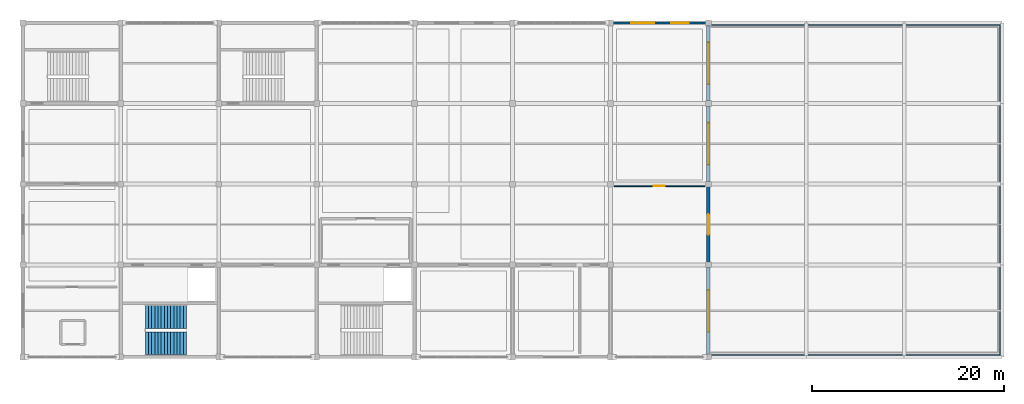
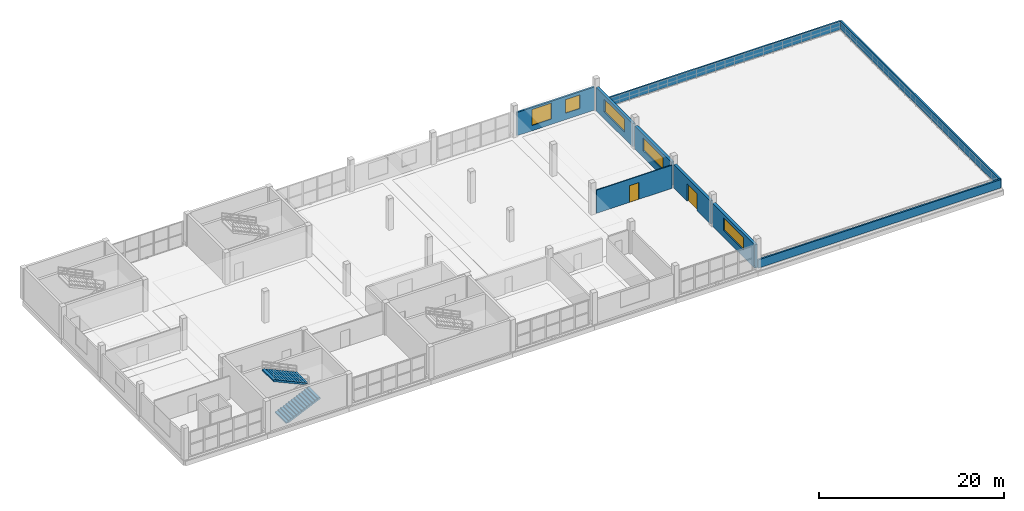
# One storey, part 21 of 24: 9 walls, 5 windows, 2 doors, 2 stair flights, 7 openings, 1 element without a shape of its own.
"""IFC4 building model written with IfcOpenShell, lengths in metres."""

import ifcopenshell
import ifcopenshell.guid

model = None  # the IFC model being written
_history = None  # IfcOwnerHistory: only IFC2X3 demands one
_inside = {}  # id of a spatial element -> (the spatial element, [elements in it])
_under = {}  # id of a project, library or spatial element -> (it, [spatial elements below it])
_declared = {}  # id of a project -> (the project, [libraries it declares])
_typed = {}  # id of a type object -> (the type object, [elements of that type])
_made_of = {}  # id of a material, layer set ... -> (it, [elements and type objects made of it])


def new_model(schema):
    """Start an empty IFC model of exactly this schema.

    Asked for "IFC4X3", IfcOpenShell would pick the latest addendum, in which some entities
    have other attributes; the version numbers below select the first issue.
    IFC2X3 requires an IfcOwnerHistory on every rooted entity: one is made here for all.
    """
    global model, _history
    if schema == "IFC4X3":
        model = ifcopenshell.file(schema_version=(4, 3, 0, 0))
    else:
        model = ifcopenshell.file(schema=schema)
    _inside.clear()
    _under.clear()
    _declared.clear()
    _typed.clear()
    _made_of.clear()
    _history = None
    if model.schema == "IFC2X3":
        org = make("IfcOrganization", Name="unknown")
        user = make(
            "IfcPersonAndOrganization",
            ThePerson=make("IfcPerson", FamilyName="unknown"),
            TheOrganization=org,
        )
        app = make(
            "IfcApplication",
            ApplicationDeveloper=org,
            Version="unknown",
            ApplicationFullName="unknown",
            ApplicationIdentifier="unknown",
        )
        _history = make(
            "IfcOwnerHistory",
            OwningUser=user,
            OwningApplication=app,
            ChangeAction="ADDED",
            CreationDate=0,
        )
    return model


def make(cls, **values):
    """One entity of the class cls with the attributes given. An attribute that is None is left unset."""
    return model.create_entity(
        cls, **{name: value for name, value in values.items() if value is not None}
    )


def rooted(cls, **values):
    """An entity with a GlobalId (a new one), such as an element, a storey or a relation."""
    return make(cls, GlobalId=ifcopenshell.guid.new(), OwnerHistory=_history, **values)


def si_unit(unit_type, name, prefix=None):
    """IfcSIUnit, for example si_unit("LENGTHUNIT", "METRE", prefix="MILLI")."""
    return make("IfcSIUnit", UnitType=unit_type, Prefix=prefix, Name=name)


def assignment(units):
    """IfcUnitAssignment: the units of a project."""
    return None if units is None else make("IfcUnitAssignment", Units=units)


def point(xyz):
    """IfcCartesianPoint."""
    return None if xyz is None else make("IfcCartesianPoint", Coordinates=xyz)


def direction(xyz):
    """IfcDirection."""
    return None if xyz is None else make("IfcDirection", DirectionRatios=xyz)


def frame(location, z_axis=None, x_axis=None):
    """IfcAxis2Placement3D, a coordinate frame: its origin and axes. An axis left out is left unset."""
    return make(
        "IfcAxis2Placement3D",
        Location=point(location),
        Axis=direction(z_axis),
        RefDirection=direction(x_axis),
    )


def frame_2d(location, x_axis=None):
    """IfcAxis2Placement2D, a coordinate frame in the plane: its origin and x axis."""
    return make(
        "IfcAxis2Placement2D", Location=point(location), RefDirection=direction(x_axis)
    )


def origin():
    """The frame at (0, 0, 0) with its axes left unset."""
    return frame((0.0, 0.0, 0.0))


def place(relative_to, where):
    """IfcLocalPlacement: puts the frame where relative to a parent placement (None: the world)."""
    return make(
        "IfcLocalPlacement", PlacementRelTo=relative_to, RelativePlacement=where
    )


def context(
    kind, dimensions, precision=None, world=None, true_north=None, identifier=None
):
    """IfcGeometricRepresentationContext, for example the 3D "Model" context."""
    return make(
        "IfcGeometricRepresentationContext",
        ContextIdentifier=identifier,
        ContextType=kind,
        CoordinateSpaceDimension=dimensions,
        Precision=precision,
        WorldCoordinateSystem=world,
        TrueNorth=true_north,
    )


def subcontext(parent, identifier, kind, view, scale=None):
    """IfcGeometricRepresentationSubContext, for example "Body" below "Model"."""
    return make(
        "IfcGeometricRepresentationSubContext",
        ContextIdentifier=identifier,
        ContextType=kind,
        ParentContext=parent,
        TargetScale=scale,
        TargetView=view,
    )


def project(units=None, contexts=None):
    """IfcProject with its units and contexts."""
    return rooted(
        "IfcProject",
        Name="project",
        RepresentationContexts=contexts,
        UnitsInContext=assignment(units),
    )


def spatial(cls, under=None, at=None, **own):
    """A site, building, storey or space (cls), placed at a placement, below another one or the project."""
    s = rooted(cls, ObjectPlacement=at, **own)
    if under is not None:
        _under.setdefault(under.id(), (under, []))[1].append(s)
    return s


def polyline(points):
    """IfcPolyline through the points."""
    return make("IfcPolyline", Points=[point(p) for p in points])


def profile(cls, at=None, kind="AREA", **sizes):
    """A parametric profile (cls). Its sizes go by their IFC names, for example OverallWidth=200.0."""
    return make(cls, ProfileType=kind, Position=at, **sizes)


def rectangle(**sizes):
    """IfcRectangleProfileDef."""
    return profile("IfcRectangleProfileDef", **sizes)


def outline(outer, holes=None, kind="AREA"):
    """IfcArbitraryClosedProfileDef: a profile drawn as a closed curve; with holes, ...WithVoids."""
    if holes is None:
        return make("IfcArbitraryClosedProfileDef", ProfileType=kind, OuterCurve=outer)
    return make(
        "IfcArbitraryProfileDefWithVoids",
        ProfileType=kind,
        OuterCurve=outer,
        InnerCurves=holes,
    )


def extrude(swept, where, along, depth):
    """IfcExtrudedAreaSolid: the profile swept, set in the frame where, extruded along a direction by depth."""
    return make(
        "IfcExtrudedAreaSolid",
        SweptArea=swept,
        Position=where,
        ExtrudedDirection=direction(along),
        Depth=depth,
    )


def shape(context_of_items, identifier, shape_type, items):
    """IfcShapeRepresentation: the items that make up one representation, for example the "Body"."""
    return make(
        "IfcShapeRepresentation",
        ContextOfItems=context_of_items,
        RepresentationIdentifier=identifier,
        RepresentationType=shape_type,
        Items=items,
    )


def material(Name=None, Category=None):
    """IfcMaterial."""
    return make("IfcMaterial", Name=Name, Category=Category)


def layer(
    of_material, thickness, ventilated=None, Name=None, Category=None, Priority=None
):
    """IfcMaterialLayer: one layer of a wall or slab, of a material (None: an air gap)."""
    return make(
        "IfcMaterialLayer",
        Material=of_material,
        LayerThickness=thickness,
        IsVentilated=ventilated,
        Name=Name,
        Category=Category,
        Priority=Priority,
    )


def layer_set(layers, Name=None):
    """IfcMaterialLayerSet."""
    return make("IfcMaterialLayerSet", MaterialLayers=layers, LayerSetName=Name)


def made_of(thing, what):
    """Note that an element or type object is made of a material, layer set ...; save() writes the relation."""
    if what is not None:
        _made_of.setdefault(what.id(), (what, []))[1].append(thing)
    return thing


def type_object(cls, material=None, **own):
    """A type object (cls), such as IfcWallType, which elements share."""
    return made_of(rooted(cls, **own), material)


def element(
    cls,
    number,
    at=None,
    inside=None,
    cuts=None,
    type_object=None,
    material=None,
    context=None,
    identifier="Body",
    shape_type=None,
    held_by="IfcProductDefinitionShape",
    body=None,
    shapes=None,
    **own,
):
    """One element of the class cls, such as IfcWall. Its Tag is "e" and its number.

    at: its placement. inside: the storey or other place that contains it. cuts: it is an
    opening in that element (IfcRelVoidsElement). A single representation is given by context,
    identifier, shape_type and body (its items); several are given by shapes. held_by: the class
    of the entity that holds the representations. save() writes the other relations.
    """
    e = rooted(cls, Tag="e%d" % number, ObjectPlacement=at, **own)
    if body is not None:
        shapes = [shape(context, identifier, shape_type, body)]
    if shapes is not None:
        e.Representation = make(held_by, Representations=shapes)
    if inside is not None:
        _inside.setdefault(inside.id(), (inside, []))[1].append(e)
    if cuts is not None:
        rooted(
            "IfcRelVoidsElement", RelatingBuildingElement=cuts, RelatedOpeningElement=e
        )
    if type_object is not None:
        _typed.setdefault(type_object.id(), (type_object, []))[1].append(e)
    return made_of(e, material)


def fill(opening, filler):
    """IfcRelFillsElement: the door or window that sits in an opening."""
    return rooted(
        "IfcRelFillsElement",
        RelatingOpeningElement=opening,
        RelatedBuildingElement=filler,
    )


def aggregate(whole, parts):
    """IfcRelAggregates: a whole, such as a stair, and the parts it consists of."""
    return rooted("IfcRelAggregates", RelatingObject=whole, RelatedObjects=parts)


def save(model, path):
    """Write the relations noted so far, then the file.

    IfcRelAggregates (storeys below a building ...), IfcRelContainedInSpatialStructure (elements
    in a storey), IfcRelDefinesByType, IfcRelAssociatesMaterial and IfcRelDeclares: one each for
    every whole, place, type object, material and project.
    """
    for whole, parts in _under.values():
        aggregate(whole, parts)
    for where, things in _inside.values():
        rooted(
            "IfcRelContainedInSpatialStructure",
            RelatedElements=things,
            RelatingStructure=where,
        )
    for kind, things in _typed.values():
        rooted("IfcRelDefinesByType", RelatedObjects=things, RelatingType=kind)
    for what, things in _made_of.values():
        rooted("IfcRelAssociatesMaterial", RelatedObjects=things, RelatingMaterial=what)
    for by, libraries in _declared.values():
        rooted("IfcRelDeclares", RelatingContext=by, RelatedDefinitions=libraries)
    model.write(path)


model = new_model("IFC4")

# Units and contexts
model_context = context("Model", 3, precision=1e-05, world=origin(), true_north=direction((0.0, 1.0)))
body_context = subcontext(model_context, "Body", "Model", "MODEL_VIEW")
ifc_project = project(units=[si_unit("LENGTHUNIT", "METRE"), si_unit("AREAUNIT", "SQUARE_METRE"), si_unit("VOLUMEUNIT", "CUBIC_METRE"), si_unit("PLANEANGLEUNIT", "RADIAN"), si_unit("MASSUNIT", "GRAM", prefix="KILO")], contexts=[model_context])

# Site, building, storey
site_placement = place(None, origin())
site = spatial("IfcSite", under=ifc_project, at=site_placement, CompositionType="ELEMENT")
building_placement = place(site_placement, origin())
building = spatial("IfcBuilding", under=site, at=building_placement, Name="Brelvane Convention Centre", CompositionType="ELEMENT")
storey_placement = place(building_placement, frame((0.0, 0.0, 19.199951171875)))
storey = spatial("IfcBuildingStorey", under=building, at=storey_placement, Name="L04", CompositionType="ELEMENT", Elevation=19.199951171875)

# Wall, openings, windows
ifc_material_1 = material(Name="Insulated Autoclaved Aerated Concrete Block Grade 1", Category="concrete")
ifc_layer_1 = layer(ifc_material_1, 0.219970703125)
ifc_layer_set_1 = layer_set([ifc_layer_1], Name="Insulated Autoclaved Aerated Concrete Block Grade 1")
wall_type_1 = type_object("IfcWallType", Name="Exterior Wall EW-04", PredefinedType="STANDARD", material=ifc_layer_set_1)
wall_1_placement = place(storey_placement, frame((61.43994140625, 144.0, 0.0), z_axis=(0.0, 0.0, 1.0), x_axis=(1.0, 0.0, 0.0)))
wall_1 = element("IfcWall", 1, at=wall_1_placement, inside=storey, type_object=wall_type_1, Name="Exterior Wall L04 V4N-07", PredefinedType="STANDARD", context=body_context, shape_type="SweptSolid", body=[
    extrude(rectangle(XDim=9.719970703125, YDim=0.219970703125, at=frame_2d((4.85986328125, 0.0))), origin(), (0.0, 0.0, 1.0), 3.06005859375),
])
opening_1_placement = place(wall_1_placement, frame((1.909912109375, 0.0, 0.699951171875)))
opening_1 = element("IfcOpeningElement", 2, at=opening_1_placement, cuts=wall_1, Name="Opening WN-01", PredefinedType="OPENING", context=body_context, shape_type="SweptSolid", body=[
    extrude(rectangle(XDim=2.39990234375, YDim=2.10009765625, at=frame_2d((1.199951171875, 1.050048828125))), frame((0.0, 0.119873046875, 0.0), z_axis=(0.0, -1.0, 0.0), x_axis=(1.0, 0.0, 0.0)), (0.0, 0.0, 1.0), 0.239990234375),
])
opening_2_placement = place(wall_1_placement, frame((6.097900390625, 0.0, 0.85009765625)))
opening_2 = element("IfcOpeningElement", 3, at=opening_2_placement, cuts=wall_1, Name="Opening WN-04", PredefinedType="OPENING", context=body_context, shape_type="SweptSolid", body=[
    extrude(rectangle(XDim=1.800048828125, YDim=1.800048828125, at=frame_2d((0.89990234375, 0.89990234375))), frame((0.0, 0.119873046875, 0.0), z_axis=(0.0, -1.0, 0.0), x_axis=(1.0, 0.0, 0.0)), (0.0, 0.0, 1.0), 0.239990234375),
])
ifc_material_2 = material(Name="Double Glazed Low-E Laminated Unit")
window_type_1 = type_object("IfcWindowType", Name="Window WN-01", PartitioningType="DOUBLE_PANEL_VERTICAL", PredefinedType="WINDOW", material=ifc_material_2)
window_1_placement = place(opening_1_placement, origin())
window_1 = element("IfcWindow", 4, at=window_1_placement, inside=storey, type_object=window_type_1, Name="Facade Window L04-V4N-07-059", OverallHeight=2.10009765625, OverallWidth=2.39990234375, PartitioningType="DOUBLE_PANEL_VERTICAL", PredefinedType="WINDOW", context=body_context, shape_type="SweptSolid", body=[
    extrude(rectangle(XDim=2.39990234375, YDim=2.10009765625, at=frame_2d((1.199951171875, 1.050048828125))), frame((0.0, 0.030029296875, 0.0), z_axis=(0.0, -1.0, 0.0), x_axis=(1.0, 0.0, 0.0)), (0.0, 0.0, 1.0), 0.06005859375),
])
fill(opening_1, window_1)
ifc_material_3 = material(Name="Double Glazed Low-E Laminated Unit")
window_type_2 = type_object("IfcWindowType", Name="Window WN-04", PartitioningType="DOUBLE_PANEL_VERTICAL", PredefinedType="WINDOW", material=ifc_material_3)
window_2_placement = place(opening_2_placement, origin())
window_2 = element("IfcWindow", 5, at=window_2_placement, inside=storey, type_object=window_type_2, Name="Facade Window L04-V4N-07-060", OverallHeight=1.800048828125, OverallWidth=1.800048828125, PartitioningType="DOUBLE_PANEL_VERTICAL", PredefinedType="WINDOW", context=body_context, shape_type="SweptSolid", body=[
    extrude(rectangle(XDim=1.800048828125, YDim=1.800048828125, at=frame_2d((0.89990234375, 0.89990234375))), frame((0.0, 0.030029296875, 0.0), z_axis=(0.0, -1.0, 0.0), x_axis=(1.0, 0.0, 0.0)), (0.0, 0.0, 1.0), 0.06005859375),
])
fill(opening_2, window_2)

# Wall, opening, window
ifc_material_4 = material(Name="Insulated Autoclaved Aerated Concrete Block Grade 1", Category="concrete")
ifc_layer_2 = layer(ifc_material_4, 0.344970703125)
ifc_layer_set_2 = layer_set([ifc_layer_2], Name="Insulated Autoclaved Aerated Concrete Block Grade 1")
wall_type_2 = type_object("IfcWallType", Name="Exterior Wall EW-12", PredefinedType="STANDARD", material=ifc_layer_set_2)
wall_2_placement = place(storey_placement, frame((71.39990234375, 109.43994140625, 0.0), z_axis=(0.0, 0.0, 1.0), x_axis=(0.0, 1.0, 0.0)))
wall_2 = element("IfcWall", 6, at=wall_2_placement, inside=storey, type_object=wall_type_2, Name="Exterior Wall L04 V4E-1", PredefinedType="STANDARD", context=body_context, shape_type="SweptSolid", body=[
    extrude(rectangle(XDim=9.1201171875, YDim=0.344970703125, at=frame_2d((4.56005859375, 0.0))), origin(), (0.0, 0.0, 1.0), 3.06005859375),
])
opening_3_placement = place(wall_2_placement, frame((2.385009765625, 0.0, 0.89990234375)))
opening_3 = element("IfcOpeningElement", 7, at=opening_3_placement, cuts=wall_2, Name="Opening WN-18", PredefinedType="OPENING", context=body_context, shape_type="SweptSolid", body=[
    extrude(rectangle(XDim=4.35009765625, YDim=1.679931640625, at=frame_2d((2.175048828125, 0.83984375))), frame((0.0, 0.182373046875, 0.0), z_axis=(0.0, -1.0, 0.0), x_axis=(1.0, 0.0, 0.0)), (0.0, 0.0, 1.0), 0.364990234375),
])
ifc_material_5 = material(Name="Double Glazed Low-E Laminated Unit")
window_type_3 = type_object("IfcWindowType", Name="Window WN-18", PartitioningType="TRIPLE_PANEL_VERTICAL", PredefinedType="WINDOW", material=ifc_material_5)
window_3_placement = place(opening_3_placement, origin())
window_3 = element("IfcWindow", 8, at=window_3_placement, inside=storey, type_object=window_type_3, Name="Facade Window L04-V4E-1-061", OverallHeight=1.679931640625, OverallWidth=4.35009765625, PartitioningType="TRIPLE_PANEL_VERTICAL", PredefinedType="WINDOW", context=body_context, shape_type="SweptSolid", body=[
    extrude(rectangle(XDim=4.35009765625, YDim=1.679931640625, at=frame_2d((2.175048828125, 0.83984375))), frame((0.0, 0.030029296875, 0.0), z_axis=(0.0, -1.0, 0.0), x_axis=(1.0, 0.0, 0.0)), (0.0, 0.0, 1.0), 0.06005859375),
])
fill(opening_3, window_3)

# Wall, opening, door
wall_3_placement = place(storey_placement, frame((71.39990234375, 119.0400390625, 0.0), z_axis=(0.0, 0.0, 1.0), x_axis=(0.0, 1.0, 0.0)))
wall_3 = element("IfcWall", 9, at=wall_3_placement, inside=storey, type_object=wall_type_2, Name="Exterior Wall L04 V4E-2", PredefinedType="STANDARD", context=body_context, shape_type="SweptSolid", body=[
    extrude(rectangle(XDim=7.919921875, YDim=0.344970703125, at=frame_2d((3.9599609375, 0.0))), origin(), (0.0, 0.0, 1.0), 3.06005859375),
])
opening_4_placement = place(wall_3_placement, frame((2.909912109375, 0.0, 0.0)))
opening_4 = element("IfcOpeningElement", 10, at=opening_4_placement, cuts=wall_3, Name="Opening DR-TR-01", PredefinedType="OPENING", context=body_context, shape_type="SweptSolid", body=[
    extrude(rectangle(XDim=2.10009765625, YDim=2.300048828125, at=frame_2d((1.050048828125, 1.14990234375))), frame((0.0, 0.182373046875, 0.0), z_axis=(0.0, -1.0, 0.0), x_axis=(1.0, 0.0, 0.0)), (0.0, 0.0, 1.0), 0.364990234375),
])
ifc_material_6 = material(Name="Anodised Aluminium Alloy 6063-T6", Category="aluminium")
door_type_1 = type_object("IfcDoorType", Name="Exterior Door DR-TR-01", OperationType="NOTDEFINED", PredefinedType="DOOR", material=ifc_material_6)
door_1_placement = place(opening_4_placement, frame((2.10009765625, 0.0, 0.0), z_axis=(0.0, 0.0, 1.0), x_axis=(-1.0, 0.0, 0.0)))
door_1 = element("IfcDoor", 11, at=door_1_placement, inside=storey, type_object=door_type_1, Name="Terrace Exit Door RG-MEET-L04-2 (DR-TR-01)", OperationType="DOUBLE_DOOR_SINGLE_SWING", OverallHeight=2.300048828125, OverallWidth=2.10009765625, PredefinedType="DOOR", context=body_context, shape_type="SweptSolid", body=[
    extrude(rectangle(XDim=2.10009765625, YDim=2.300048828125, at=frame_2d((1.050048828125, 1.14990234375))), frame((0.0, 0.02490234375, 0.0), z_axis=(0.0, -1.0, 0.0), x_axis=(1.0, 0.0, 0.0)), (0.0, 0.0, 1.0), 0.050048828125),
])
fill(opening_4, door_1)

# Wall, opening, window
wall_4_placement = place(storey_placement, frame((71.39990234375, 127.43994140625, 0.0), z_axis=(0.0, 0.0, 1.0), x_axis=(0.0, 1.0, 0.0)))
wall_4 = element("IfcWall", 12, at=wall_4_placement, inside=storey, type_object=wall_type_2, Name="Exterior Wall L04 V4E-3", PredefinedType="STANDARD", context=body_context, shape_type="SweptSolid", body=[
    extrude(rectangle(XDim=7.920166015625, YDim=0.344970703125, at=frame_2d((3.9599609375, 0.0))), origin(), (0.0, 0.0, 1.0), 3.06005859375),
])
opening_5_placement = place(wall_4_placement, frame((1.784912109375, 0.0, 0.89990234375)))
opening_5 = element("IfcOpeningElement", 13, at=opening_5_placement, cuts=wall_4, Name="Opening WN-18", PredefinedType="OPENING", context=body_context, shape_type="SweptSolid", body=[
    extrude(rectangle(XDim=4.35009765625, YDim=1.679931640625, at=frame_2d((2.175048828125, 0.83984375))), frame((0.0, 0.182373046875, 0.0), z_axis=(0.0, -1.0, 0.0), x_axis=(1.0, 0.0, 0.0)), (0.0, 0.0, 1.0), 0.364990234375),
])
window_4_placement = place(opening_5_placement, origin())
window_4 = element("IfcWindow", 14, at=window_4_placement, inside=storey, type_object=window_type_3, Name="Facade Window L04-V4E-3-062", OverallHeight=1.679931640625, OverallWidth=4.35009765625, PartitioningType="TRIPLE_PANEL_VERTICAL", PredefinedType="WINDOW", context=body_context, shape_type="SweptSolid", body=[
    extrude(rectangle(XDim=4.35009765625, YDim=1.679931640625, at=frame_2d((2.175048828125, 0.83984375))), frame((0.0, 0.030029296875, 0.0), z_axis=(0.0, -1.0, 0.0), x_axis=(1.0, 0.0, 0.0)), (0.0, 0.0, 1.0), 0.06005859375),
])
fill(opening_5, window_4)

wall_5_placement = place(storey_placement, frame((71.39990234375, 135.840087890625, 0.0), z_axis=(0.0, 0.0, 1.0), x_axis=(0.0, 1.0, 0.0)))
wall_5 = element("IfcWall", 15, at=wall_5_placement, inside=storey, type_object=wall_type_2, Name="Exterior Wall L04 V4E-4", PredefinedType="STANDARD", context=body_context, shape_type="SweptSolid", body=[
    extrude(rectangle(XDim=7.919921875, YDim=0.344970703125, at=frame_2d((3.9599609375, 0.0))), origin(), (0.0, 0.0, 1.0), 3.06005859375),
])
opening_6_placement = place(wall_5_placement, frame((1.784912109375, 0.0, 0.89990234375)))
opening_6 = element("IfcOpeningElement", 16, at=opening_6_placement, cuts=wall_5, Name="Opening WN-18", PredefinedType="OPENING", context=body_context, shape_type="SweptSolid", body=[
    extrude(rectangle(XDim=4.35009765625, YDim=1.679931640625, at=frame_2d((2.175048828125, 0.83984375))), frame((0.0, 0.182373046875, 0.0), z_axis=(0.0, -1.0, 0.0), x_axis=(1.0, 0.0, 0.0)), (0.0, 0.0, 1.0), 0.364990234375),
])
window_5_placement = place(opening_6_placement, origin())
window_5 = element("IfcWindow", 17, at=window_5_placement, inside=storey, type_object=window_type_3, Name="Facade Window L04-V4E-4-063", OverallHeight=1.679931640625, OverallWidth=4.35009765625, PartitioningType="TRIPLE_PANEL_VERTICAL", PredefinedType="WINDOW", context=body_context, shape_type="SweptSolid", body=[
    extrude(rectangle(XDim=4.35009765625, YDim=1.679931640625, at=frame_2d((2.175048828125, 0.83984375))), frame((0.0, 0.030029296875, 0.0), z_axis=(0.0, -1.0, 0.0), x_axis=(1.0, 0.0, 0.0)), (0.0, 0.0, 1.0), 0.06005859375),
])
fill(opening_6, window_5)

# Walls
ifc_material_7 = material(Name="Concrete M40", Category="concrete")
ifc_layer_3 = layer(ifc_material_7, 0.199951171875)
ifc_layer_set_3 = layer_set([ifc_layer_3], Name="Concrete M40")
wall_type_3 = type_object("IfcWallType", Name="Exterior Wall PW-01", PredefinedType="PARAPET", material=ifc_layer_set_3)
wall_6_placement = place(storey_placement, frame((71.550048828125, 109.35009765625, 0.0), z_axis=(0.0, 0.0, 1.0), x_axis=(1.0, 0.0, 0.0)))
element("IfcWall", 18, at=wall_6_placement, inside=storey, type_object=wall_type_3, Name="Roof Parapet L04-P08", PredefinedType="PARAPET", context=body_context, shape_type="SweptSolid", body=[
    extrude(rectangle(XDim=30.300048828125, YDim=0.199951171875, at=frame_2d((15.14990234375, 0.0))), origin(), (0.0, 0.0, 1.0), 1.10009765625),
])
wall_7_placement = place(storey_placement, frame((101.85009765625, 109.35009765625, 0.0), z_axis=(0.0, 0.0, 1.0), x_axis=(0.0, 1.0, 0.0)))
element("IfcWall", 19, at=wall_7_placement, inside=storey, type_object=wall_type_3, Name="Roof Parapet L04-P09", PredefinedType="PARAPET", context=body_context, shape_type="SweptSolid", body=[
    extrude(rectangle(XDim=34.5, YDim=0.199951171875, at=frame_2d((17.25, 0.0))), origin(), (0.0, 0.0, 1.0), 1.10009765625),
])
wall_8_placement = place(storey_placement, frame((101.85009765625, 143.85009765625, 0.0), z_axis=(0.0, 0.0, 1.0), x_axis=(-1.0, 0.0, 0.0)))
element("IfcWall", 20, at=wall_8_placement, inside=storey, type_object=wall_type_3, Name="Roof Parapet L04-P10", PredefinedType="PARAPET", context=body_context, shape_type="SweptSolid", body=[
    extrude(rectangle(XDim=30.300048828125, YDim=0.199951171875, at=frame_2d((15.14990234375, 0.0))), origin(), (0.0, 0.0, 1.0), 1.10009765625),
])

# Wall, opening, door
ifc_material_8 = material(Name="Fire-Rated Acoustic Gypsum Partition Board Grade A")
ifc_layer_4 = layer(ifc_material_8, 0.114990234375)
ifc_layer_set_4 = layer_set([ifc_layer_4], Name="Fire-Rated Acoustic Gypsum Partition Board Grade A")
wall_type_4 = type_object("IfcWallType", Name="Interior Wall IW-PT-115", PredefinedType="PARTITIONING", material=ifc_layer_set_4)
wall_9_placement = place(storey_placement, frame((61.60009765625, 127.0, 0.0), z_axis=(0.0, 0.0, 1.0), x_axis=(1.0, 0.0, 0.0)))
wall_9 = element("IfcWall", 21, at=wall_9_placement, inside=storey, type_object=wall_type_4, Name="Interior Partition L04-BLNG", PredefinedType="PARTITIONING", context=body_context, shape_type="SweptSolid", body=[
    extrude(rectangle(XDim=9.39990234375, YDim=0.114990234375, at=frame_2d((4.699951171875, 0.0))), origin(), (0.0, 0.0, 1.0), 3.06005859375),
])
opening_7_placement = place(wall_9_placement, frame((4.1201171875, 0.0, 0.0)))
opening_7 = element("IfcOpeningElement", 22, at=opening_7_placement, cuts=wall_9, Name="Opening DR-IN-04L", PredefinedType="OPENING", context=body_context, shape_type="SweptSolid", body=[
    extrude(rectangle(XDim=1.159912109375, YDim=2.199951171875, at=frame_2d((0.580078125, 1.10009765625))), frame((0.0, 0.0673828125, 0.0), z_axis=(0.0, -1.0, 0.0), x_axis=(1.0, 0.0, 0.0)), (0.0, 0.0, 1.0), 0.135009765625),
])
ifc_material_9 = material(Name="Galvanised Hollow-Metal Fire Door Steel E250", Category="steel")
door_type_2 = type_object("IfcDoorType", Name="Interior Door DR-IN-04L", OperationType="NOTDEFINED", PredefinedType="DOOR", material=ifc_material_9)
door_2_placement = place(opening_7_placement, origin())
door_2 = element("IfcDoor", 23, at=door_2_placement, inside=storey, type_object=door_type_2, Name="Interior Door L04-BLNG (DR-IN-04L)", OperationType="SINGLE_SWING_LEFT", OverallHeight=2.199951171875, OverallWidth=1.159912109375, PredefinedType="DOOR", context=body_context, shape_type="SweptSolid", body=[
    extrude(rectangle(XDim=1.159912109375, YDim=2.199951171875, at=frame_2d((0.580078125, 1.10009765625))), frame((0.0, 0.02490234375, 0.0), z_axis=(0.0, -1.0, 0.0), x_axis=(1.0, 0.0, 0.0)), (0.0, 0.0, 1.0), 0.050048828125),
])
fill(opening_7, door_2)

# Stair, stair flights
ifc_material_10 = material(Name="Concrete M40", Category="concrete")
stair_type = type_object("IfcStairType", Name="Exit Stair ST-CORE", PredefinedType="HALF_TURN_STAIR", material=ifc_material_10)
stair_placement = place(storey_placement, origin())
stair = element("IfcStair", 24, at=stair_placement, inside=storey, type_object=stair_type, Name="Exit Stair ST-06 (L04 to L05)", PredefinedType="HALF_TURN_STAIR")
ifc_material_11 = material(Name="Concrete M40", Category="concrete")
stair_flight_type = type_object("IfcStairFlightType", Name="Stair Flight SF-C14", PredefinedType="STRAIGHT", material=ifc_material_11)
stair_flight_1_placement = place(storey_placement, frame((12.75, 110.6298828125, 0.0), z_axis=(0.0, 0.0, 1.0), x_axis=(1.0, 0.0, 0.0)))
stair_flight_1 = element("IfcStairFlight", 25, at=stair_flight_1_placement, type_object=stair_flight_type, Name="Stair ST-06 L04 Flight 1", NumberOfRisers=14, NumberOfTreads=13, PredefinedType="STRAIGHT", RiserHeight=0.15, TreadLength=0.33, context=body_context, shape_type="SweptSolid", body=[
    extrude(outline(polyline([(0.0, 0.0), (0.0, 0.14990234375), (0.330078125, 0.14990234375), (0.330078125, 0.300048828125), (0.659912109375, 0.300048828125), (0.659912109375, 0.449951171875), (0.989990234375, 0.449951171875), (0.989990234375, 0.60009765625), (1.320068359375, 0.60009765625), (1.320068359375, 0.75), (1.64990234375, 0.75), (1.64990234375, 0.89990234375), (1.97998046875, 0.89990234375), (1.97998046875, 1.050048828125), (2.31005859375, 1.050048828125), (2.31005859375, 1.199951171875), (2.639892578125, 1.199951171875), (2.639892578125, 1.35009765625), (2.969970703125, 1.35009765625), (2.969970703125, 1.5), (3.300048828125, 1.5), (3.300048828125, 1.64990234375), (3.6298828125, 1.64990234375), (3.6298828125, 1.800048828125), (3.9599609375, 1.800048828125), (3.9599609375, 1.949951171875), (4.2900390625, 1.949951171875), (4.2900390625, 2.10009765625), (4.2900390625, 1.75244140625), (0.434814453125, 0.0), (0.0, 0.0)])), frame((0.0, 1.18994140625, 0.0), z_axis=(0.0, -1.0, 0.0), x_axis=(1.0, 0.0, 0.0)), (0.0, 0.0, 1.0), 2.3798828125),
])
stair_flight_2_placement = place(storey_placement, frame((17.0400390625, 113.3701171875, 2.10009765625), z_axis=(0.0, 0.0, 1.0), x_axis=(-1.0, 0.0, 0.0)))
stair_flight_2 = element("IfcStairFlight", 26, at=stair_flight_2_placement, type_object=stair_flight_type, Name="Stair ST-06 L04 Flight 2", NumberOfRisers=14, NumberOfTreads=13, PredefinedType="STRAIGHT", RiserHeight=0.15, TreadLength=0.33, context=body_context, shape_type="SweptSolid", body=[
    extrude(outline(polyline([(0.0, 0.0), (0.0, 0.14990234375), (0.330078125, 0.14990234375), (0.330078125, 0.300048828125), (0.659912109375, 0.300048828125), (0.659912109375, 0.449951171875), (0.989990234375, 0.449951171875), (0.989990234375, 0.60009765625), (1.320068359375, 0.60009765625), (1.320068359375, 0.75), (1.64990234375, 0.75), (1.64990234375, 0.89990234375), (1.97998046875, 0.89990234375), (1.97998046875, 1.050048828125), (2.31005859375, 1.050048828125), (2.31005859375, 1.199951171875), (2.639892578125, 1.199951171875), (2.639892578125, 1.35009765625), (2.969970703125, 1.35009765625), (2.969970703125, 1.5), (3.300048828125, 1.5), (3.300048828125, 1.64990234375), (3.6298828125, 1.64990234375), (3.6298828125, 1.800048828125), (3.9599609375, 1.800048828125), (3.9599609375, 1.949951171875), (4.2900390625, 1.949951171875), (4.2900390625, 2.10009765625), (4.2900390625, 1.75244140625), (0.434814453125, 0.0), (0.0, 0.0)])), frame((0.0, 1.18994140625, 0.0), z_axis=(0.0, -1.0, 0.0), x_axis=(1.0, 0.0, 0.0)), (0.0, 0.0, 1.0), 2.3798828125),
])
aggregate(stair, [stair_flight_1, stair_flight_2])

save(model, "model.ifc")
